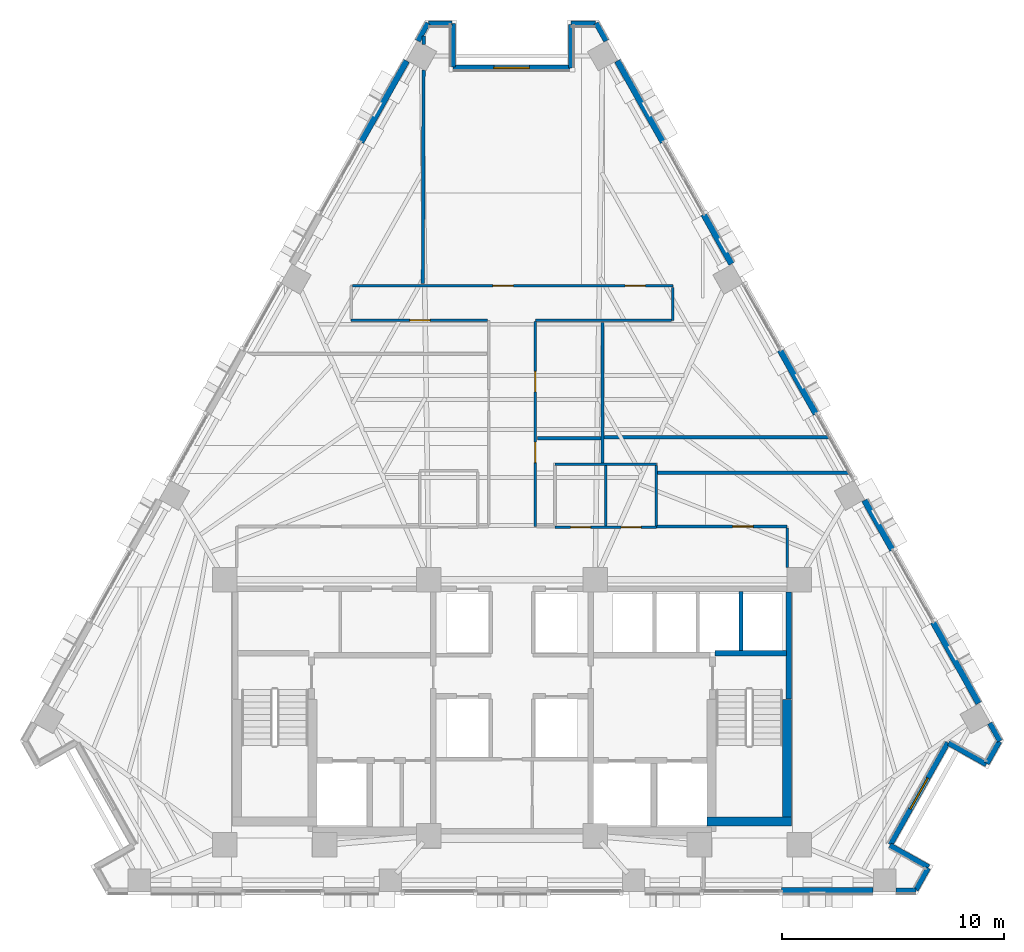
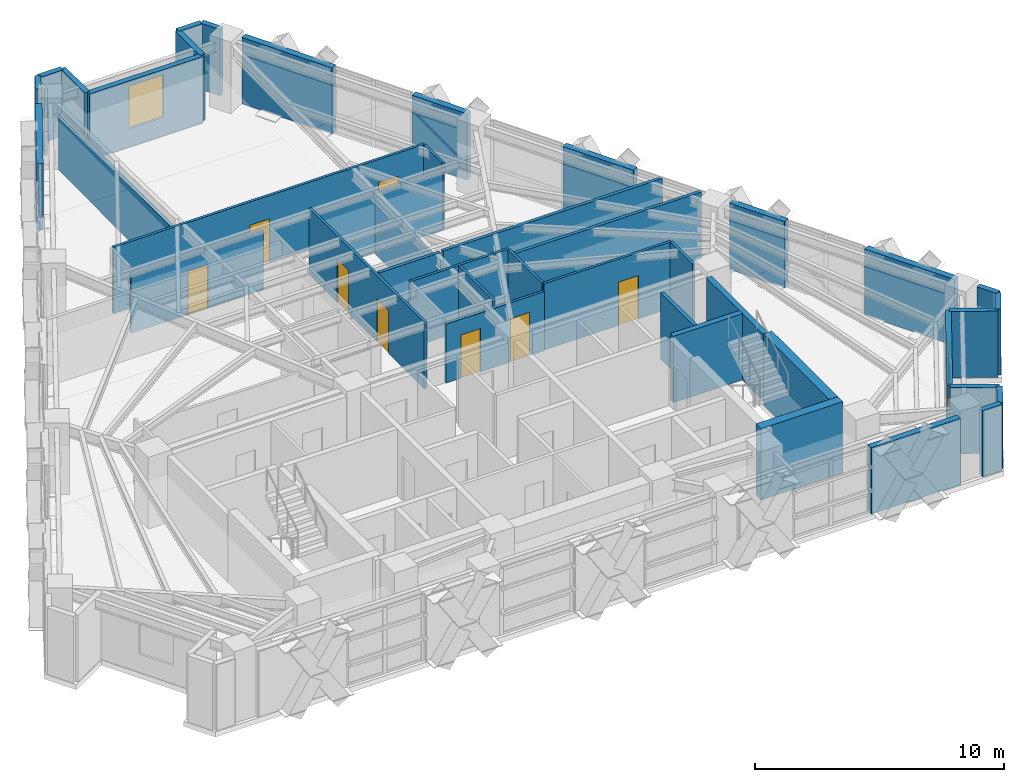
# One storey, part 9 of 14: 43 walls, 8 doors, 2 windows, 10 openings.
"""IFC4 building model written with IfcOpenShell, lengths in metres."""

from ifc_helpers import new_model, si_unit, direction, frame, frame_2d, origin, place, context, subcontext, project, spatial, rectangle, extrude, material, layer, layer_set, type_object, element, fill, save


model = new_model("IFC4")

# Units and contexts
model_context = context("Model", 3, precision=1e-05, world=origin(), true_north=direction((0.0, 1.0)))
body_context = subcontext(model_context, "Body", "Model", "MODEL_VIEW")
ifc_project = project(units=[si_unit("LENGTHUNIT", "METRE"), si_unit("AREAUNIT", "SQUARE_METRE"), si_unit("VOLUMEUNIT", "CUBIC_METRE"), si_unit("PLANEANGLEUNIT", "RADIAN"), si_unit("MASSUNIT", "GRAM", prefix="KILO")], contexts=[model_context])

# Site, building, storey
site_placement = place(None, origin())
site = spatial("IfcSite", under=ifc_project, at=site_placement, CompositionType="ELEMENT")
building_placement = place(site_placement, origin())
building = spatial("IfcBuilding", under=site, at=building_placement, Name="Quenlor Broadcast Tower", CompositionType="ELEMENT")
storey_placement = place(building_placement, frame((0.0, 0.0, 165.0)))
storey = spatial("IfcBuildingStorey", under=building, at=storey_placement, Name="L45", CompositionType="ELEMENT", Elevation=165.0)

# Walls
ifc_material_1 = material(Name="Acoustic Double Stud Gypsum Partition", Category="other")
ifc_layer_1 = layer(ifc_material_1, 0.14990234375)
ifc_layer_set_1 = layer_set([ifc_layer_1], Name="Broadcast Studio Acoustic Partition 150")
wall_type_1 = type_object("IfcWallType", Name="Broadcast Studio Acoustic Partition 150", PredefinedType="PARTITIONING", material=ifc_layer_set_1)
wall_1_placement = place(storey_placement, frame((-4.019287109375, 8.56005859375, 0.0), z_axis=(0.0, 0.0, 1.0), x_axis=(0.003497279608, 0.999993884499, 0.0)))
element("IfcWall", 1, at=wall_1_placement, inside=storey, type_object=wall_type_1, Name="L45 Interior Wall PW-DV-01", PredefinedType="PARTITIONING", context=body_context, shape_type="SweptSolid", body=[
    extrude(rectangle(XDim=9.633544921875, YDim=0.14990234375, at=frame_2d((4.81689453125, 0.0))), origin(), (0.0, 0.0, 1.0), 2.717041015625),
])
wall_2_placement = place(storey_placement, frame((-3.981689453125, 19.343017578125, 0.0), z_axis=(0.0, 0.0, 1.0), x_axis=(0.003906220198, 0.999992370693, 0.0)))
element("IfcWall", 2, at=wall_2_placement, inside=storey, type_object=wall_type_1, Name="L45 Interior Wall PW-DV-01S2", PredefinedType="PARTITIONING", context=body_context, shape_type="SweptSolid", body=[
    extrude(rectangle(XDim=0.375, YDim=0.14990234375, at=frame_2d((0.1875, 0.0))), origin(), (0.0, 0.0, 1.0), 3.25),
])
wall_3_placement = place(storey_placement, frame((4.080078125, 0.471923828125, 0.0), z_axis=(0.0, 0.0, 1.0), x_axis=(0.0, 1.0, 0.0)))
element("IfcWall", 3, at=wall_3_placement, inside=storey, type_object=wall_type_1, Name="L45 Interior Wall PW-DV-03", PredefinedType="PARTITIONING", context=body_context, shape_type="SweptSolid", body=[
    extrude(rectangle(XDim=6.318115234375, YDim=0.14990234375, at=frame_2d((3.1591796875, 0.0))), origin(), (0.0, 0.0, 1.0), 2.717041015625),
])
wall_4_placement = place(storey_placement, frame((14.30615234375, 1.6201171875, 0.0), z_axis=(0.0, 0.0, 1.0), x_axis=(-1.0, 0.0, 0.0)))
element("IfcWall", 4, at=wall_4_placement, inside=storey, type_object=wall_type_1, Name="L45 Interior Wall PW-DV-04", PredefinedType="PARTITIONING", context=body_context, shape_type="SweptSolid", body=[
    extrude(rectangle(XDim=10.149169921875, YDim=0.14990234375, at=frame_2d((5.07470703125, 0.0))), origin(), (0.0, 0.0, 1.0), 3.25),
])
wall_5_placement = place(storey_placement, frame((4.0029296875, 1.580078125, 0.0), z_axis=(0.0, 0.0, 1.0), x_axis=(-1.0, 0.0, 0.0)))
element("IfcWall", 5, at=wall_5_placement, inside=storey, type_object=wall_type_1, Name="L45 Interior Wall PW-DV-05", PredefinedType="PARTITIONING", context=body_context, shape_type="SweptSolid", body=[
    extrude(rectangle(XDim=2.843017578125, YDim=0.14990234375, at=frame_2d((1.42138671875, 0.0))), origin(), (0.0, 0.0, 1.0), 3.25),
])
wall_6_placement = place(storey_placement, frame((15.2041015625, 0.023681640625, 0.0), z_axis=(0.0, 0.0, 1.0), x_axis=(-1.0, 0.0, 0.0)))
element("IfcWall", 6, at=wall_6_placement, inside=storey, type_object=wall_type_1, Name="L45 Interior Wall PW-DV-06", PredefinedType="PARTITIONING", context=body_context, shape_type="SweptSolid", body=[
    extrude(rectangle(XDim=8.634033203125, YDim=0.14990234375, at=frame_2d((4.31689453125, 0.0))), origin(), (0.0, 0.0, 1.0), 3.25),
])
ifc_material_2 = material(Name="Concrete C50/60", Category="concrete")
ifc_layer_2 = layer(ifc_material_2, 0.39990234375)
ifc_layer_set_2 = layer_set([ifc_layer_2], Name="Core Concrete C50/60 Shear Wall 400")
wall_type_2 = type_object("IfcWallType", Name="Core Concrete C50/60 Shear Wall 400", PredefinedType="SHEAR", material=ifc_layer_set_2)
wall_7_placement = place(storey_placement, frame((8.800048828125, -15.699951171875, 0.0), z_axis=(0.0, 0.0, 1.0), x_axis=(1.0, 0.0, 0.0)))
element("IfcWall", 7, at=wall_7_placement, inside=storey, type_object=wall_type_2, Name="L45 Core Shear Wall WS-E2", PredefinedType="SHEAR", context=body_context, shape_type="SweptSolid", body=[
    extrude(rectangle(XDim=3.800048828125, YDim=0.39990234375, at=frame_2d((1.89990234375, 0.0))), origin(), (0.0, 0.0, 1.0), 3.5),
])
wall_8_placement = place(storey_placement, frame((12.39990234375, -15.699951171875, 0.0), z_axis=(0.0, 0.0, 1.0), x_axis=(0.0, 1.0, 0.0)))
element("IfcWall", 8, at=wall_8_placement, inside=storey, type_object=wall_type_2, Name="L45 Core Shear Wall WF-E", PredefinedType="SHEAR", context=body_context, shape_type="SweptSolid", body=[
    extrude(rectangle(XDim=5.5, YDim=0.39990234375, at=frame_2d((2.75, 0.0))), origin(), (0.0, 0.0, 1.0), 3.5),
])
ifc_material_3 = material(Name="Concrete C40/50", Category="concrete")
ifc_layer_3 = layer(ifc_material_3, 0.25)
ifc_layer_set_3 = layer_set([ifc_layer_3], Name="Fire Rated Concrete C40/50 Core Wall 250")
wall_type_3 = type_object("IfcWallType", Name="Fire Rated Concrete C40/50 Core Wall 250", PredefinedType="PARTITIONING", material=ifc_layer_set_3)
wall_9_placement = place(storey_placement, frame((9.159912109375, -8.1201171875, 0.0), z_axis=(0.0, 0.0, 1.0), x_axis=(1.0, 0.0, 0.0)))
element("IfcWall", 9, at=wall_9_placement, inside=storey, type_object=wall_type_3, Name="L45 Interior Wall CW-ST2-N", PredefinedType="PARTITIONING", context=body_context, shape_type="SweptSolid", body=[
    extrude(rectangle(XDim=3.219970703125, YDim=0.25, at=frame_2d((1.60986328125, 0.0))), origin(), (0.0, 0.0, 1.0), 3.25),
])
wall_10_placement = place(storey_placement, frame((12.47998046875, -10.179931640625, 0.0), z_axis=(0.0, 0.0, 1.0), x_axis=(0.0, 1.0, 0.0)))
element("IfcWall", 10, at=wall_10_placement, inside=storey, type_object=wall_type_3, Name="L45 Interior Wall CW-ST2-E2", PredefinedType="PARTITIONING", context=body_context, shape_type="SweptSolid", body=[
    extrude(rectangle(XDim=4.827880859375, YDim=0.25, at=frame_2d((2.4140625, 0.0))), origin(), (0.0, 0.0, 1.0), 3.25),
])
ifc_material_4 = material(Name="Gypsum Fireboard Partition", Category="other")
ifc_layer_4 = layer(ifc_material_4, 0.159912109375)
ifc_layer_set_4 = layer_set([ifc_layer_4], Name="Fire Rated Shaft and Corridor Partition 160")
wall_type_4 = type_object("IfcWallType", Name="Fire Rated Shaft and Corridor Partition 160", PredefinedType="PARTITIONING", material=ifc_layer_set_4)
wall_11_placement = place(storey_placement, frame((10.324951171875, -7.992919921875, 0.0), z_axis=(0.0, 0.0, 1.0), x_axis=(0.0, 1.0, 0.0)))
element("IfcWall", 11, at=wall_11_placement, inside=storey, type_object=wall_type_4, Name="L45 Interior Wall CW-PLH-D3", PredefinedType="PARTITIONING", context=body_context, shape_type="SweptSolid", body=[
    extrude(rectangle(XDim=2.65283203125, YDim=0.159912109375, at=frame_2d((1.326416015625, 0.0))), origin(), (0.0, 0.0, 1.0), 3.25),
])

# Wall, openings, doors
ifc_material_5 = material(Name="Gypsum Plasterboard Partition", Category="other")
ifc_layer_5 = layer(ifc_material_5, 0.1201171875)
ifc_layer_set_5 = layer_set([ifc_layer_5], Name="Standard Office Partition 120")
wall_type_5 = type_object("IfcWallType", Name="Standard Office Partition 120", PredefinedType="PARTITIONING", material=ifc_layer_set_5)
wall_12_placement = place(storey_placement, frame((1.93994140625, -2.43994140625, 0.0), z_axis=(0.0, 0.0, 1.0), x_axis=(1.0, 0.0, 0.0)))
wall_12 = element("IfcWall", 12, at=wall_12_placement, inside=storey, type_object=wall_type_5, Name="L45 Interior Wall PW-WC-S", PredefinedType="PARTITIONING", context=body_context, shape_type="SweptSolid", body=[
    extrude(rectangle(XDim=4.570068359375, YDim=0.1201171875, at=frame_2d((2.28515625, 0.0))), origin(), (0.0, 0.0, 1.0), 2.891357421875),
])
opening_1_placement = place(wall_12_placement, frame((0.699951171875, 0.0, 0.0)))
opening_1 = element("IfcOpeningElement", 13, at=opening_1_placement, cuts=wall_12, Name="Opening ID-3", PredefinedType="OPENING", context=body_context, shape_type="SweptSolid", body=[
    extrude(rectangle(XDim=0.89990234375, YDim=2.1201171875, at=frame_2d((0.449951171875, 1.06005859375))), frame((0.0, 0.070068359375, 0.0), z_axis=(0.0, -1.0, 0.0), x_axis=(1.0, 0.0, 0.0)), (0.0, 0.0, 1.0), 0.14013671875),
])
opening_2_placement = place(wall_12_placement, frame((2.97998046875, 0.0, 0.0)))
opening_2 = element("IfcOpeningElement", 14, at=opening_2_placement, cuts=wall_12, Name="Opening ID-3", PredefinedType="OPENING", context=body_context, shape_type="SweptSolid", body=[
    extrude(rectangle(XDim=0.89990234375, YDim=2.1201171875, at=frame_2d((0.449951171875, 1.06005859375))), frame((0.0, 0.070068359375, 0.0), z_axis=(0.0, -1.0, 0.0), x_axis=(1.0, 0.0, 0.0)), (0.0, 0.0, 1.0), 0.14013671875),
])
ifc_material_6 = material(Name="Moisture Resistant Timber Oak", Category="wood")
door_type_1 = type_object("IfcDoorType", Name="Washroom Privacy Door 900x2120", OperationType="NOTDEFINED", PredefinedType="DOOR", material=ifc_material_6)
door_1_placement = place(opening_1_placement, origin())
door_1 = element("IfcDoor", 15, at=door_1_placement, inside=storey, type_object=door_type_1, Name="L45 Door DR-MWC", OperationType="SINGLE_SWING_LEFT", OverallHeight=2.1201171875, OverallWidth=0.89990234375, PredefinedType="DOOR", context=body_context, shape_type="SweptSolid", body=[
    extrude(rectangle(XDim=0.89990234375, YDim=2.1201171875, at=frame_2d((0.449951171875, 1.06005859375))), frame((0.0, 0.02490234375, 0.0), z_axis=(0.0, -1.0, 0.0), x_axis=(1.0, 0.0, 0.0)), (0.0, 0.0, 1.0), 0.050048828125),
])
fill(opening_1, door_1)
door_2_placement = place(opening_2_placement, origin())
door_2 = element("IfcDoor", 16, at=door_2_placement, inside=storey, type_object=door_type_1, Name="L45 Door DR-FWC", OperationType="SINGLE_SWING_RIGHT", OverallHeight=2.1201171875, OverallWidth=0.89990234375, PredefinedType="DOOR", context=body_context, shape_type="SweptSolid", body=[
    extrude(rectangle(XDim=0.89990234375, YDim=2.1201171875, at=frame_2d((0.449951171875, 1.06005859375))), frame((0.0, 0.02490234375, 0.0), z_axis=(0.0, -1.0, 0.0), x_axis=(1.0, 0.0, 0.0)), (0.0, 0.0, 1.0), 0.050048828125),
])
fill(opening_2, door_2)

# Walls
wall_13_placement = place(storey_placement, frame((1.93994140625, 0.409912109375, 0.0), z_axis=(0.0, 0.0, 1.0), x_axis=(1.0, 0.0, 0.0)))
element("IfcWall", 17, at=wall_13_placement, inside=storey, type_object=wall_type_5, Name="L45 Interior Wall PW-WC-N", PredefinedType="PARTITIONING", context=body_context, shape_type="SweptSolid", body=[
    extrude(rectangle(XDim=4.570068359375, YDim=0.1201171875, at=frame_2d((2.28515625, 0.0))), origin(), (0.0, 0.0, 1.0), 3.25),
])
for number, where, z_axis, x_axis, name in (
    (18, (4.219970703125, -2.3779296875, 0.0), (0.0, 0.0, 1.0), (0.0, 1.0, 0.0), "L45 Interior Wall PW-WC-M"),
    (19, (6.510009765625, -2.3779296875, 0.0), (0.0, 0.0, 1.0), (0.0, 1.0, 0.0), "L45 Interior Wall PW-WC-E"),
):
    element("IfcWall", number, at=place(storey_placement, frame(where, z_axis=z_axis, x_axis=x_axis)), inside=storey, type_object=wall_type_5, Name=name, PredefinedType="PARTITIONING", context=body_context, shape_type="SweptSolid", body=[
        extrude(rectangle(XDim=2.725830078125, YDim=0.1201171875, at=frame_2d((1.36279296875, 0.0))), origin(), (0.0, 0.0, 1.0), 3.25),
    ])

# Wall, opening, door
wall_14_placement = place(storey_placement, frame((-1.112060546875, 6.89990234375, 0.0), z_axis=(0.0, 0.0, 1.0), x_axis=(-1.0, 0.0, 0.0)))
wall_14 = element("IfcWall", 20, at=wall_14_placement, inside=storey, type_object=wall_type_5, Name="L45 Interior Wall PW-CR-04", PredefinedType="PARTITIONING", context=body_context, shape_type="SweptSolid", body=[
    extrude(rectangle(XDim=6.137939453125, YDim=0.1201171875, at=frame_2d((3.06884765625, 0.0))), origin(), (0.0, 0.0, 1.0), 2.891357421875),
])
opening_3_placement = place(wall_14_placement, frame((2.577880859375, 0.0, 0.0)))
opening_3 = element("IfcOpeningElement", 21, at=opening_3_placement, cuts=wall_14, Name="Opening ID-1", PredefinedType="OPENING", context=body_context, shape_type="SweptSolid", body=[
    extrude(rectangle(XDim=0.919921875, YDim=2.1201171875, at=frame_2d((0.4599609375, 1.06005859375))), frame((0.0, 0.070068359375, 0.0), z_axis=(0.0, -1.0, 0.0), x_axis=(1.0, 0.0, 0.0)), (0.0, 0.0, 1.0), 0.14013671875),
])
ifc_material_7 = material(Name="Solid Core Timber Oak", Category="wood")
door_type_2 = type_object("IfcDoorType", Name="Single Leaf Timber Office Door 920x2120", OperationType="NOTDEFINED", PredefinedType="DOOR", material=ifc_material_7)
door_3_placement = place(opening_3_placement, origin())
door_3 = element("IfcDoor", 22, at=door_3_placement, inside=storey, type_object=door_type_2, Name="L45 Door DR-RM02", OperationType="SINGLE_SWING_LEFT", OverallHeight=2.1201171875, OverallWidth=0.919921875, PredefinedType="DOOR", context=body_context, shape_type="SweptSolid", body=[
    extrude(rectangle(XDim=0.919921875, YDim=2.1201171875, at=frame_2d((0.4599609375, 1.06005859375))), frame((0.0, 0.02490234375, 0.0), z_axis=(0.0, -1.0, 0.0), x_axis=(1.0, 0.0, 0.0)), (0.0, 0.0, 1.0), 0.050048828125),
])
fill(opening_3, door_3)

# Wall, openings, doors
wall_15_placement = place(storey_placement, frame((-7.18798828125, 8.449951171875, 0.0), z_axis=(0.0, 0.0, 1.0), x_axis=(1.0, 0.0, 0.0)))
wall_15 = element("IfcWall", 23, at=wall_15_placement, inside=storey, type_object=wall_type_5, Name="L45 Interior Wall PW-CR-06", PredefinedType="PARTITIONING", context=body_context, shape_type="SweptSolid", body=[
    extrude(rectangle(XDim=14.43798828125, YDim=0.1201171875, at=frame_2d((7.218994140625, 0.0))), origin(), (0.0, 0.0, 1.0), 3.25),
])
opening_4_placement = place(wall_15_placement, frame((6.327880859375, 0.0, 0.0)))
opening_4 = element("IfcOpeningElement", 24, at=opening_4_placement, cuts=wall_15, Name="Opening ID-1", PredefinedType="OPENING", context=body_context, shape_type="SweptSolid", body=[
    extrude(rectangle(XDim=0.919921875, YDim=2.1201171875, at=frame_2d((0.4599609375, 1.06005859375))), frame((0.0, 0.070068359375, 0.0), z_axis=(0.0, -1.0, 0.0), x_axis=(1.0, 0.0, 0.0)), (0.0, 0.0, 1.0), 0.14013671875),
])
opening_5_placement = place(wall_15_placement, frame((12.283935546875, 0.0, 0.0)))
opening_5 = element("IfcOpeningElement", 25, at=opening_5_placement, cuts=wall_15, Name="Opening ID-1", PredefinedType="OPENING", context=body_context, shape_type="SweptSolid", body=[
    extrude(rectangle(XDim=0.919921875, YDim=2.1201171875, at=frame_2d((0.4599609375, 1.06005859375))), frame((0.0, 0.070068359375, 0.0), z_axis=(0.0, -1.0, 0.0), x_axis=(1.0, 0.0, 0.0)), (0.0, 0.0, 1.0), 0.14013671875),
])
door_4_placement = place(opening_4_placement, origin())
door_4 = element("IfcDoor", 26, at=door_4_placement, inside=storey, type_object=door_type_2, Name="L45 Door DR-RM01", OperationType="SINGLE_SWING_RIGHT", OverallHeight=2.1201171875, OverallWidth=0.919921875, PredefinedType="DOOR", context=body_context, shape_type="SweptSolid", body=[
    extrude(rectangle(XDim=0.919921875, YDim=2.1201171875, at=frame_2d((0.4599609375, 1.06005859375))), frame((0.0, 0.02490234375, 0.0), z_axis=(0.0, -1.0, 0.0), x_axis=(1.0, 0.0, 0.0)), (0.0, 0.0, 1.0), 0.050048828125),
])
fill(opening_4, door_4)
door_5_placement = place(opening_5_placement, origin())
door_5 = element("IfcDoor", 27, at=door_5_placement, inside=storey, type_object=door_type_2, Name="L45 Door DR-RM03", OperationType="SINGLE_SWING_RIGHT", OverallHeight=2.1201171875, OverallWidth=0.919921875, PredefinedType="DOOR", context=body_context, shape_type="SweptSolid", body=[
    extrude(rectangle(XDim=0.919921875, YDim=2.1201171875, at=frame_2d((0.4599609375, 1.06005859375))), frame((0.0, 0.02490234375, 0.0), z_axis=(0.0, -1.0, 0.0), x_axis=(1.0, 0.0, 0.0)), (0.0, 0.0, 1.0), 0.050048828125),
])
fill(opening_5, door_5)

# Walls
wall_16_placement = place(storey_placement, frame((7.25, 8.387939453125, 0.0), z_axis=(0.0, 0.0, 1.0), x_axis=(0.0, -1.0, 0.0)))
element("IfcWall", 28, at=wall_16_placement, inside=storey, type_object=wall_type_5, Name="L45 Interior Wall PW-CR-07", PredefinedType="PARTITIONING", context=body_context, shape_type="SweptSolid", body=[
    extrude(rectangle(XDim=1.488037109375, YDim=0.1201171875, at=frame_2d((0.744140625, 0.0))), origin(), (0.0, 0.0, 1.0), 3.25),
])
wall_17_placement = place(storey_placement, frame((7.18798828125, 6.89990234375, 0.0), z_axis=(0.0, 0.0, 1.0), x_axis=(-1.0, 0.0, 0.0)))
element("IfcWall", 29, at=wall_17_placement, inside=storey, type_object=wall_type_5, Name="L45 Interior Wall PW-CR-08", PredefinedType="PARTITIONING", context=body_context, shape_type="SweptSolid", body=[
    extrude(rectangle(XDim=6.137939453125, YDim=0.1201171875, at=frame_2d((3.06884765625, 0.0))), origin(), (0.0, 0.0, 1.0), 2.891357421875),
])

# Wall, openings, doors
wall_18_placement = place(storey_placement, frame((1.050048828125, 6.837890625, 0.0), z_axis=(0.0, 0.0, 1.0), x_axis=(0.0, -1.0, 0.0)))
wall_18 = element("IfcWall", 30, at=wall_18_placement, inside=storey, type_object=wall_type_5, Name="L45 Interior Wall PW-CR-09", PredefinedType="PARTITIONING", context=body_context, shape_type="SweptSolid", body=[
    extrude(rectangle(XDim=9.23779296875, YDim=0.1201171875, at=frame_2d((4.618896484375, 0.0))), origin(), (0.0, 0.0, 1.0), 3.25),
])
opening_6_placement = place(wall_18_placement, frame((2.2470703125, 0.0, 0.0)))
opening_6 = element("IfcOpeningElement", 31, at=opening_6_placement, cuts=wall_18, Name="Opening ID-1", PredefinedType="OPENING", context=body_context, shape_type="SweptSolid", body=[
    extrude(rectangle(XDim=0.919921875, YDim=2.1201171875, at=frame_2d((0.4599609375, 1.06005859375))), frame((0.0, 0.070068359375, 0.0), z_axis=(0.0, -1.0, 0.0), x_axis=(1.0, 0.0, 0.0)), (0.0, 0.0, 1.0), 0.14013671875),
])
opening_7_placement = place(wall_18_placement, frame((5.43603515625, 0.0, 0.0)))
opening_7 = element("IfcOpeningElement", 32, at=opening_7_placement, cuts=wall_18, Name="Opening ID-1", PredefinedType="OPENING", context=body_context, shape_type="SweptSolid", body=[
    extrude(rectangle(XDim=0.919921875, YDim=2.1201171875, at=frame_2d((0.4599609375, 1.06005859375))), frame((0.0, 0.070068359375, 0.0), z_axis=(0.0, -1.0, 0.0), x_axis=(1.0, 0.0, 0.0)), (0.0, 0.0, 1.0), 0.14013671875),
])
door_6_placement = place(opening_6_placement, origin())
door_6 = element("IfcDoor", 33, at=door_6_placement, inside=storey, type_object=door_type_2, Name="L45 Door DR-RM04", OperationType="SINGLE_SWING_LEFT", OverallHeight=2.1201171875, OverallWidth=0.919921875, PredefinedType="DOOR", context=body_context, shape_type="SweptSolid", body=[
    extrude(rectangle(XDim=0.919921875, YDim=2.1201171875, at=frame_2d((0.4599609375, 1.06005859375))), frame((0.0, 0.02490234375, 0.0), z_axis=(0.0, -1.0, 0.0), x_axis=(1.0, 0.0, 0.0)), (0.0, 0.0, 1.0), 0.050048828125),
])
fill(opening_6, door_6)
door_7_placement = place(opening_7_placement, origin())
door_7 = element("IfcDoor", 34, at=door_7_placement, inside=storey, type_object=door_type_2, Name="L45 Door DR-RM06", OperationType="SINGLE_SWING_LEFT", OverallHeight=2.1201171875, OverallWidth=0.919921875, PredefinedType="DOOR", context=body_context, shape_type="SweptSolid", body=[
    extrude(rectangle(XDim=0.919921875, YDim=2.1201171875, at=frame_2d((0.4599609375, 1.06005859375))), frame((0.0, 0.02490234375, 0.0), z_axis=(0.0, -1.0, 0.0), x_axis=(1.0, 0.0, 0.0)), (0.0, 0.0, 1.0), 0.050048828125),
])
fill(opening_7, door_7)

# Wall, opening, door
wall_19_placement = place(storey_placement, frame((6.511962890625, -2.39990234375, 0.0), z_axis=(0.0, 0.0, 1.0), x_axis=(1.0, 0.0, 0.0)))
wall_19 = element("IfcWall", 35, at=wall_19_placement, inside=storey, type_object=wall_type_5, Name="L45 Interior Wall PW-CR-10S2", PredefinedType="PARTITIONING", context=body_context, shape_type="SweptSolid", body=[
    extrude(rectangle(XDim=5.89794921875, YDim=0.1201171875, at=frame_2d((2.948974609375, 0.0))), origin(), (0.0, 0.0, 1.0), 3.25),
])
opening_8_placement = place(wall_19_placement, frame((3.44091796875, 0.0, 0.0)))
opening_8 = element("IfcOpeningElement", 36, at=opening_8_placement, cuts=wall_19, Name="Opening ID-1", PredefinedType="OPENING", context=body_context, shape_type="SweptSolid", body=[
    extrude(rectangle(XDim=0.919921875, YDim=2.1201171875, at=frame_2d((0.4599609375, 1.06005859375))), frame((0.0, 0.070068359375, 0.0), z_axis=(0.0, -1.0, 0.0), x_axis=(1.0, 0.0, 0.0)), (0.0, 0.0, 1.0), 0.14013671875),
])
door_8_placement = place(opening_8_placement, origin())
door_8 = element("IfcDoor", 37, at=door_8_placement, inside=storey, type_object=door_type_2, Name="L45 Door DR-RM07", OperationType="SINGLE_SWING_RIGHT", OverallHeight=2.1201171875, OverallWidth=0.919921875, PredefinedType="DOOR", context=body_context, shape_type="SweptSolid", body=[
    extrude(rectangle(XDim=0.919921875, YDim=2.1201171875, at=frame_2d((0.4599609375, 1.06005859375))), frame((0.0, 0.02490234375, 0.0), z_axis=(0.0, -1.0, 0.0), x_axis=(1.0, 0.0, 0.0)), (0.0, 0.0, 1.0), 0.050048828125),
])
fill(opening_8, door_8)

# Walls
wall_20_placement = place(storey_placement, frame((12.409912109375, -2.4619140625, 0.0), z_axis=(0.0, 0.0, 1.0), x_axis=(0.0, -1.0, 0.0)))
element("IfcWall", 38, at=wall_20_placement, inside=storey, type_object=wall_type_5, Name="L45 Interior Wall PW-CR-11", PredefinedType="PARTITIONING", context=body_context, shape_type="SweptSolid", body=[
    extrude(rectangle(XDim=1.7861328125, YDim=0.1201171875, at=frame_2d((0.89306640625, 0.0))), origin(), (0.0, 0.0, 1.0), 3.25),
])
ifc_material_8 = material(Name="Precast concrete C40/50", Category="concrete")
ifc_layer_6 = layer(ifc_material_8, 0.239990234375)
ifc_layer_set_6 = layer_set([ifc_layer_6], Name="Terrace Threshold Precast Concrete C40/50 Wall 240")
wall_type_6 = type_object("IfcWallType", Name="Terrace Threshold Precast Concrete C40/50 Wall 240", PredefinedType="STANDARD", material=ifc_layer_set_6)
wall_21_placement = place(storey_placement, frame((18.2099609375, -18.824951171875, 0.0), z_axis=(0.0, 0.0, 1.0), x_axis=(-1.0, 0.0, 0.0)))
element("IfcWall", 39, at=wall_21_placement, inside=storey, type_object=wall_type_6, Name="L45 Exterior Wall L45-SHD-SS0", PredefinedType="STANDARD", context=body_context, shape_type="SweptSolid", body=[
    extrude(rectangle(XDim=0.896484375, YDim=0.239990234375, at=frame_2d((0.4482421875, 0.0))), origin(), (0.0, 0.0, 1.0), 3.25),
])
wall_22_placement = place(storey_placement, frame((3.7919921875, 20.302001953125, 0.0), z_axis=(0.0, 0.0, 1.0), x_axis=(0.490048346303, -0.871695255399, 0.0)))
element("IfcWall", 40, at=wall_22_placement, inside=storey, type_object=wall_type_6, Name="L45 Exterior Wall L45-SHD-NES0", PredefinedType="STANDARD", context=body_context, shape_type="SweptSolid", body=[
    extrude(rectangle(XDim=0.925537109375, YDim=0.239990234375, at=frame_2d((0.462890625, 0.0))), origin(), (0.0, 0.0, 1.0), 3.25),
])
wall_23_placement = place(storey_placement, frame((21.54931640625, -11.2666015625, 0.0), z_axis=(0.0, 0.0, 1.0), x_axis=(0.490248718924, -0.871582579905, 0.0)))
element("IfcWall", 41, at=wall_23_placement, inside=storey, type_object=wall_type_6, Name="L45 Exterior Wall L45-SHD-NES1", PredefinedType="STANDARD", context=body_context, shape_type="SweptSolid", body=[
    extrude(rectangle(XDim=0.92578125, YDim=0.239990234375, at=frame_2d((0.462890625, 0.0))), origin(), (0.0, 0.0, 1.0), 3.25),
])
wall_24_placement = place(storey_placement, frame((-4.24560546875, 19.4951171875, 0.0), z_axis=(0.0, 0.0, 1.0), x_axis=(0.490048346303, 0.871695255399, 0.0)))
element("IfcWall", 42, at=wall_24_placement, inside=storey, type_object=wall_type_6, Name="L45 Exterior Wall L45-SHD-NWS1", PredefinedType="STANDARD", context=body_context, shape_type="SweptSolid", body=[
    extrude(rectangle(XDim=0.925537109375, YDim=0.239990234375, at=frame_2d((0.462890625, 0.0))), origin(), (0.0, 0.0, 1.0), 3.25),
])
wall_25_placement = place(storey_placement, frame((18.783935546875, -17.760009765625, 0.0), z_axis=(0.0, 0.0, 1.0), x_axis=(-0.871536415941, 0.49033078191, 0.0)))
element("IfcWall", 43, at=wall_25_placement, inside=storey, type_object=wall_type_6, Name="L45 Exterior Wall L45-CNR-01", PredefinedType="STANDARD", context=body_context, shape_type="SweptSolid", body=[
    extrude(rectangle(XDim=2.0, YDim=0.239990234375, at=frame_2d((1.0, 0.0))), origin(), (0.0, 0.0, 1.0), 3.25),
])

# Wall, opening, window
wall_26_placement = place(storey_placement, frame((17.060302734375, -16.744384765625, 0.0), z_axis=(0.0, 0.0, 1.0), x_axis=(0.490276606961, 0.871566892824, 0.0)))
wall_26 = element("IfcWall", 44, at=wall_26_placement, inside=storey, type_object=wall_type_6, Name="L45 Exterior Wall L45-CNR-02", PredefinedType="STANDARD", context=body_context, shape_type="SweptSolid", body=[
    extrude(rectangle(XDim=5.280029296875, YDim=0.239990234375, at=frame_2d((2.64013671875, 0.0))), origin(), (0.0, 0.0, 1.0), 3.25),
])
opening_9_placement = place(wall_26_placement, frame((1.840087890625, 0.0, 0.89990234375)))
opening_9 = element("IfcOpeningElement", 45, at=opening_9_placement, cuts=wall_26, Name="Opening WN-2", PredefinedType="OPENING", context=body_context, shape_type="SweptSolid", body=[
    extrude(rectangle(XDim=1.60009765625, YDim=2.10009765625, at=frame_2d((0.800048828125, 1.050048828125))), frame((0.0, 0.1298828125, 0.0), z_axis=(0.0, -1.0, 0.0), x_axis=(1.0, 0.0, 0.0)), (0.0, 0.0, 1.0), 0.260009765625),
])
ifc_material_9 = material(Name="Thermally Broken Aluminium and Low-E Glass", Category="aluminium")
window_type = type_object("IfcWindowType", Name="Tower Studio Punched Window 1600x2100", PartitioningType="SINGLE_PANEL", PredefinedType="WINDOW", material=ifc_material_9)
window_1_placement = place(opening_9_placement, origin())
window_1 = element("IfcWindow", 46, at=window_1_placement, inside=storey, type_object=window_type, Name="L45 Corner Chamfer Window 2", OverallHeight=2.10009765625, OverallWidth=1.60009765625, PartitioningType="SINGLE_PANEL", PredefinedType="WINDOW", context=body_context, shape_type="SweptSolid", body=[
    extrude(rectangle(XDim=1.60009765625, YDim=2.10009765625, at=frame_2d((0.800048828125, 1.050048828125))), frame((0.0, 0.030029296875, 0.0), z_axis=(0.0, -1.0, 0.0), x_axis=(1.0, 0.0, 0.0)), (0.0, 0.0, 1.0), 0.06005859375),
])
fill(opening_9, window_1)

# Walls
wall_27_placement = place(storey_placement, frame((19.683837890625, -12.162109375, 0.0), z_axis=(0.0, 0.0, 1.0), x_axis=(0.871512328312, -0.490373593906, 0.0)))
element("IfcWall", 47, at=wall_27_placement, inside=storey, type_object=wall_type_6, Name="L45 Exterior Wall L45-CNR-03", PredefinedType="STANDARD", context=body_context, shape_type="SweptSolid", body=[
    extrude(rectangle(XDim=1.960205078125, YDim=0.239990234375, at=frame_2d((0.97998046875, 0.0))), origin(), (0.0, 0.0, 1.0), 3.25),
])
wall_28_placement = place(storey_placement, frame((21.411865234375, -13.08837890625, 0.0), z_axis=(0.0, 0.0, 1.0), x_axis=(0.4900989379, 0.871666811958, 0.0)))
element("IfcWall", 48, at=wall_28_placement, inside=storey, type_object=wall_type_6, Name="L45 Exterior Wall L45-CNR-04", PredefinedType="STANDARD", context=body_context, shape_type="SweptSolid", body=[
    extrude(rectangle(XDim=1.142822265625, YDim=0.239990234375, at=frame_2d((0.5712890625, 0.0))), origin(), (0.0, 0.0, 1.0), 3.25),
])
wall_29_placement = place(storey_placement, frame((3.761474609375, 20.280029296875, 0.0), z_axis=(0.0, 0.0, 1.0), x_axis=(-1.0, 0.0, 0.0)))
element("IfcWall", 49, at=wall_29_placement, inside=storey, type_object=wall_type_6, Name="L45 Exterior Wall L45-CNR-06", PredefinedType="STANDARD", context=body_context, shape_type="SweptSolid", body=[
    extrude(rectangle(XDim=1.1015625, YDim=0.239990234375, at=frame_2d((0.55078125, 0.0))), origin(), (0.0, 0.0, 1.0), 3.25),
])
wall_30_placement = place(storey_placement, frame((2.659912109375, 20.239990234375, 0.0), z_axis=(0.0, 0.0, 1.0), x_axis=(0.0, -1.0, 0.0)))
element("IfcWall", 50, at=wall_30_placement, inside=storey, type_object=wall_type_6, Name="L45 Exterior Wall L45-CNR-07", PredefinedType="STANDARD", context=body_context, shape_type="SweptSolid", body=[
    extrude(rectangle(XDim=1.9599609375, YDim=0.239990234375, at=frame_2d((0.97998046875, 0.0))), origin(), (0.0, 0.0, 1.0), 3.25),
])

# Wall, opening, window
wall_31_placement = place(storey_placement, frame((2.6201171875, 18.280029296875, 0.0), z_axis=(0.0, 0.0, 1.0), x_axis=(-1.0, 0.0, 0.0)))
wall_31 = element("IfcWall", 51, at=wall_31_placement, inside=storey, type_object=wall_type_6, Name="L45 Exterior Wall L45-CNR-08", PredefinedType="STANDARD", context=body_context, shape_type="SweptSolid", body=[
    extrude(rectangle(XDim=5.280029296875, YDim=0.239990234375, at=frame_2d((2.64013671875, 0.0))), origin(), (0.0, 0.0, 1.0), 3.25),
])
opening_10_placement = place(wall_31_placement, frame((1.840087890625, 0.0, 0.89990234375)))
opening_10 = element("IfcOpeningElement", 52, at=opening_10_placement, cuts=wall_31, Name="Opening WN-2", PredefinedType="OPENING", context=body_context, shape_type="SweptSolid", body=[
    extrude(rectangle(XDim=1.60009765625, YDim=2.10009765625, at=frame_2d((0.800048828125, 1.050048828125))), frame((0.0, 0.1298828125, 0.0), z_axis=(0.0, -1.0, 0.0), x_axis=(1.0, 0.0, 0.0)), (0.0, 0.0, 1.0), 0.260009765625),
])
window_2_placement = place(opening_10_placement, origin())
window_2 = element("IfcWindow", 53, at=window_2_placement, inside=storey, type_object=window_type, Name="L45 Corner Chamfer Window 8", OverallHeight=2.10009765625, OverallWidth=1.60009765625, PartitioningType="SINGLE_PANEL", PredefinedType="WINDOW", context=body_context, shape_type="SweptSolid", body=[
    extrude(rectangle(XDim=1.60009765625, YDim=2.10009765625, at=frame_2d((0.800048828125, 1.050048828125))), frame((0.0, 0.030029296875, 0.0), z_axis=(0.0, -1.0, 0.0), x_axis=(1.0, 0.0, 0.0)), (0.0, 0.0, 1.0), 0.06005859375),
])
fill(opening_10, window_2)

# Walls
wall_32_placement = place(storey_placement, frame((-2.659912109375, 18.320068359375, 0.0), z_axis=(0.0, 0.0, 1.0), x_axis=(0.0, 1.0, 0.0)))
element("IfcWall", 54, at=wall_32_placement, inside=storey, type_object=wall_type_6, Name="L45 Exterior Wall L45-CNR-09", PredefinedType="STANDARD", context=body_context, shape_type="SweptSolid", body=[
    extrude(rectangle(XDim=1.9599609375, YDim=0.239990234375, at=frame_2d((0.97998046875, 0.0))), origin(), (0.0, 0.0, 1.0), 3.25),
])
wall_33_placement = place(storey_placement, frame((-2.699951171875, 20.280029296875, 0.0), z_axis=(0.0, 0.0, 1.0), x_axis=(-1.0, 0.0, 0.0)))
element("IfcWall", 55, at=wall_33_placement, inside=storey, type_object=wall_type_6, Name="L45 Exterior Wall L45-CNR-10", PredefinedType="STANDARD", context=body_context, shape_type="SweptSolid", body=[
    extrude(rectangle(XDim=1.0615234375, YDim=0.239990234375, at=frame_2d((0.53076171875, 0.0))), origin(), (0.0, 0.0, 1.0), 3.25),
])
wall_34_placement = place(storey_placement, frame((18.205810546875, -18.78759765625, 0.0), z_axis=(0.0, 0.0, 1.0), x_axis=(0.490403700594, 0.871495387506, 0.0)))
element("IfcWall", 56, at=wall_34_placement, inside=storey, type_object=wall_type_6, Name="L45 Exterior Wall L45-CNR-18", PredefinedType="STANDARD", context=body_context, shape_type="SweptSolid", body=[
    extrude(rectangle(XDim=1.13916015625, YDim=0.239990234375, at=frame_2d((0.569580078125, 0.0))), origin(), (0.0, 0.0, 1.0), 3.25),
])
ifc_material_10 = material(Name="Precast concrete C40/50", Category="concrete")
ifc_layer_7 = layer(ifc_material_10, 0.280029296875)
ifc_layer_set_7 = layer_set([ifc_layer_7], Name="Terracotta Precast Concrete C40/50 Facade Wall 280")
wall_type_7 = type_object("IfcWallType", Name="Terracotta Precast Concrete C40/50 Facade Wall 280", PredefinedType="STANDARD", material=ifc_layer_set_7)
wall_35_placement = place(storey_placement, frame((16.283447265625, -18.824951171875, 0.0), z_axis=(0.0, 0.0, 1.0), x_axis=(-1.0, 0.0, 0.0)))
element("IfcWall", 57, at=wall_35_placement, inside=storey, type_object=wall_type_7, Name="L45 Exterior Wall L45-SA-SP1", PredefinedType="STANDARD", context=body_context, shape_type="SweptSolid", body=[
    extrude(rectangle(XDim=4.134521484375, YDim=0.280029296875, at=frame_2d((2.0673828125, 0.0))), origin(), (0.0, 0.0, 1.0), 3.25),
])
wall_36_placement = place(storey_placement, frame((4.750732421875, 18.597412109375, 0.0), z_axis=(0.0, 0.0, 1.0), x_axis=(0.490250201787, -0.871581745821, 0.0)))
element("IfcWall", 58, at=wall_36_placement, inside=storey, type_object=wall_type_7, Name="L45 Exterior Wall L45-NEA-SP1", PredefinedType="STANDARD", context=body_context, shape_type="SweptSolid", body=[
    extrude(rectangle(XDim=4.20068359375, YDim=0.280029296875, at=frame_2d((2.100341796875, 0.0))), origin(), (0.0, 0.0, 1.0), 3.25),
])
for number, where, z_axis, x_axis, name in (
    (59, (8.640625, 11.681884765625, 0.0), (0.0, 0.0, 1.0), (0.490301864627, -0.871552684319, 0.0), "L45 Exterior Wall L45-NEA-SP2"),
    (60, (15.8955078125, -1.21533203125, 0.0), (0.0, 0.0, 1.0), (0.490229640206, -0.871593311048, 0.0), "L45 Exterior Wall L45-NEC-SP1"),
):
    element("IfcWall", number, at=place(storey_placement, frame(where, z_axis=z_axis, x_axis=x_axis)), inside=storey, type_object=wall_type_7, Name=name, PredefinedType="STANDARD", context=body_context, shape_type="SweptSolid", body=[
        extrude(rectangle(XDim=2.56787109375, YDim=0.280029296875, at=frame_2d((1.283935546875, 0.0))), origin(), (0.0, 0.0, 1.0), 3.25),
    ])
wall_37_placement = place(storey_placement, frame((18.985107421875, -6.7080078125, 0.0), z_axis=(0.0, 0.0, 1.0), x_axis=(0.490230882965, -0.871592612054, 0.0)))
element("IfcWall", 61, at=wall_37_placement, inside=storey, type_object=wall_type_7, Name="L45 Exterior Wall L45-NEC-SP2", PredefinedType="STANDARD", context=body_context, shape_type="SweptSolid", body=[
    extrude(rectangle(XDim=4.2001953125, YDim=0.280029296875, at=frame_2d((2.10009765625, 0.0))), origin(), (0.0, 0.0, 1.0), 3.25),
])
wall_38_placement = place(storey_placement, frame((12.0888671875, 5.5517578125, 0.0), z_axis=(0.0, 0.0, 1.0), x_axis=(0.490285834707, -0.871561701938, 0.0)))
element("IfcWall", 62, at=wall_38_placement, inside=storey, type_object=wall_type_7, Name="L45 Exterior Wall L45-NE-SP1", PredefinedType="STANDARD", context=body_context, shape_type="SweptSolid", body=[
    extrude(rectangle(XDim=3.299072265625, YDim=0.280029296875, at=frame_2d((1.6494140625, 0.0))), origin(), (0.0, 0.0, 1.0), 3.25),
])
wall_39_placement = place(storey_placement, frame((-6.81005859375, 14.936279296875, 0.0), z_axis=(0.0, 0.0, 1.0), x_axis=(0.490250201787, 0.871581745821, 0.0)))
element("IfcWall", 63, at=wall_39_placement, inside=storey, type_object=wall_type_7, Name="L45 Exterior Wall L45-NWC-SP2", PredefinedType="STANDARD", context=body_context, shape_type="SweptSolid", body=[
    extrude(rectangle(XDim=4.20068359375, YDim=0.280029296875, at=frame_2d((2.100341796875, 0.0))), origin(), (0.0, 0.0, 1.0), 3.25),
])

save(model, "model.ifc")
